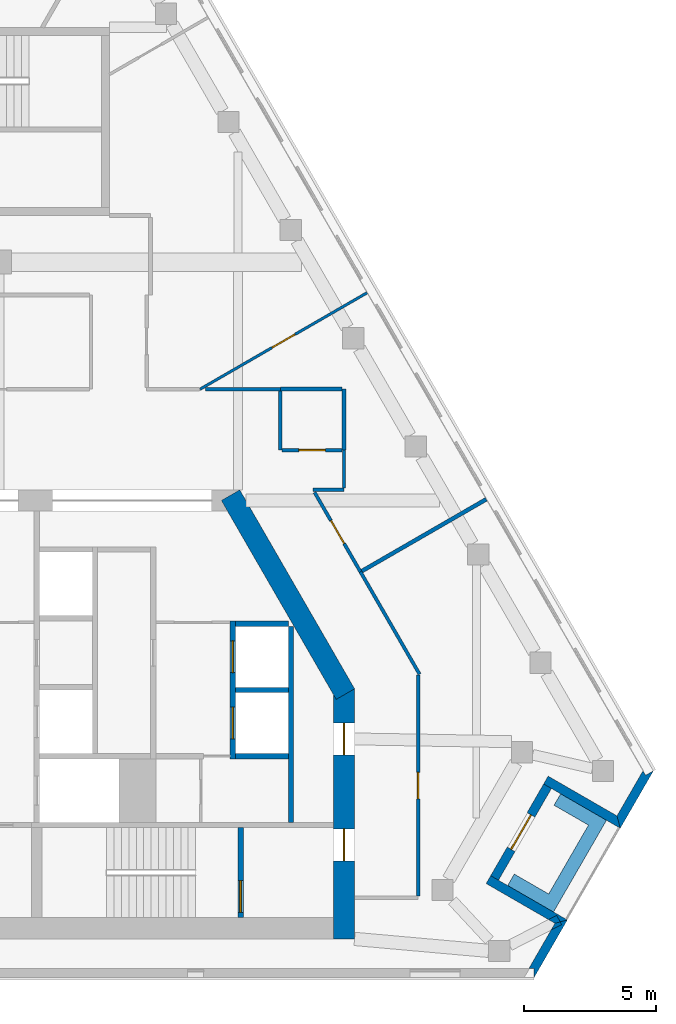
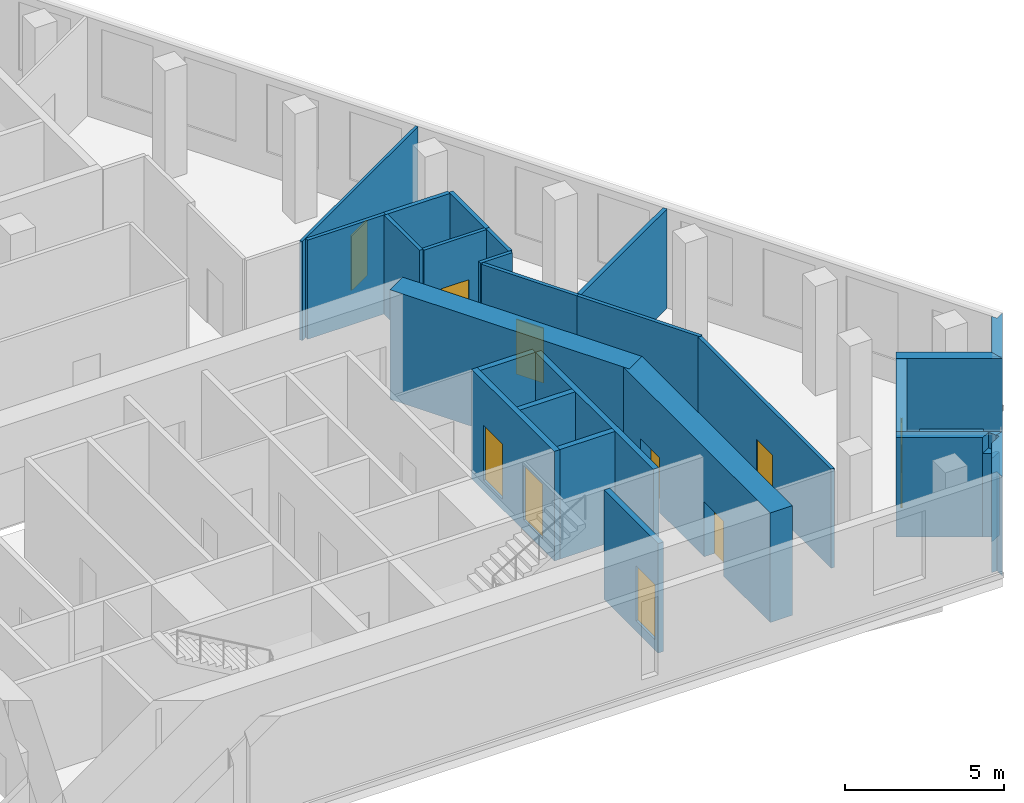
# One storey, part 5 of 8: 28 walls, 10 doors, 10 openings.
"""IFC4 building model written with IfcOpenShell, lengths in metres."""

from ifc_helpers import new_model, si_unit, direction, frame, frame_2d, origin, place, context, subcontext, project, spatial, polyline, rectangle, outline, extrude, material, layer, layer_set, type_object, element, fill, save


model = new_model("IFC4")

# Units and contexts
model_context = context("Model", 3, precision=1e-05, world=origin(), true_north=direction((0.0, 1.0)))
body_context = subcontext(model_context, "Body", "Model", "MODEL_VIEW")
ifc_project = project(units=[si_unit("LENGTHUNIT", "METRE"), si_unit("AREAUNIT", "SQUARE_METRE"), si_unit("VOLUMEUNIT", "CUBIC_METRE"), si_unit("PLANEANGLEUNIT", "RADIAN"), si_unit("MASSUNIT", "GRAM", prefix="KILO")], contexts=[model_context])

# Site, building, storey
site_placement = place(None, origin())
site = spatial("IfcSite", under=ifc_project, at=site_placement, CompositionType="ELEMENT")
building_placement = place(site_placement, origin())
building = spatial("IfcBuilding", under=site, at=building_placement, Name="Fogline Exchange Tower", CompositionType="ELEMENT")
storey_placement = place(building_placement, frame((0.0, 0.0, 318.300048828125)))
storey = spatial("IfcBuildingStorey", under=building, at=storey_placement, Name="L72", CompositionType="ELEMENT", Elevation=318.300048828125)

# Wall
ifc_material_1 = material(Name="Concrete C40", Category="concrete")
ifc_layer_1 = layer(ifc_material_1, 0.199951171875)
ifc_layer_set_1 = layer_set([ifc_layer_1], Name="CW20")
wall_type_1 = type_object("IfcWallType", Name="CW20", PredefinedType="SOLIDWALL", material=ifc_layer_set_1)
wall_1_placement = place(storey_placement, frame((11.0, 5.85009765625, 0.0), z_axis=(0.0, 0.0, 1.0), x_axis=(0.0, 1.0, 0.0)))
element("IfcWall", 1, at=wall_1_placement, inside=storey, type_object=wall_type_1, Name="Service room wall", PredefinedType="SOLIDWALL", context=body_context, shape_type="SweptSolid", body=[
    extrude(rectangle(XDim=7.39990234375, YDim=0.199951171875, at=frame_2d((3.699951171875, 0.0))), origin(), (0.0, 0.0, 1.0), 3.800048828125),
])

# Wall, opening, door
ifc_layer_2 = layer(ifc_material_1, 0.199951171875)
ifc_layer_set_2 = layer_set([ifc_layer_2], Name="CW20R")
wall_type_2 = type_object("IfcWallType", Name="CW20R", PredefinedType="SOLIDWALL", material=ifc_layer_set_2)
wall_2_placement = place(storey_placement, frame((9.10009765625, 2.25, -0.400146484375), z_axis=(0.0, 0.0, 1.0), x_axis=(0.0, 1.0, 0.0)))
wall_2 = element("IfcWall", 2, at=wall_2_placement, inside=storey, type_object=wall_type_2, Name="Stair enclosure wall", PredefinedType="SOLIDWALL", context=body_context, shape_type="SweptSolid", body=[
    extrude(rectangle(XDim=3.39990234375, YDim=0.199951171875, at=frame_2d((1.699951171875, 0.0))), origin(), (0.0, 0.0, 1.0), 4.2001953125),
])
opening_1_placement = place(wall_2_placement, frame((0.199951171875, 0.0, 0.39990234375)))
opening_1 = element("IfcOpeningElement", 3, at=opening_1_placement, cuts=wall_2, Name="Opening T22-C016", PredefinedType="OPENING", context=body_context, shape_type="SweptSolid", body=[
    extrude(rectangle(XDim=1.199951171875, YDim=2.10009765625, at=frame_2d((0.60009765625, 1.050048828125))), frame((0.0, 0.10986328125, 0.0), z_axis=(0.0, -1.0, 0.0), x_axis=(1.0, 0.0, 0.0)), (0.0, 0.0, 1.0), 0.219970703125),
])
ifc_material_2 = material(Name="Steel and timber fire door", Category="steel")
door_type_1 = type_object("IfcDoorType", Name="D-ST1", OperationType="SINGLE_SWING_LEFT", PredefinedType="DOOR", material=ifc_material_2)
door_1_placement = place(opening_1_placement, origin())
door_1 = element("IfcDoor", 4, at=door_1_placement, inside=storey, type_object=door_type_1, Name="Stair door ST2", OperationType="SINGLE_SWING_LEFT", OverallHeight=2.10009765625, OverallWidth=1.199951171875, PredefinedType="DOOR", context=body_context, shape_type="SweptSolid", body=[
    extrude(rectangle(XDim=1.199951171875, YDim=2.10009765625, at=frame_2d((0.60009765625, 1.050048828125))), frame((0.0, 0.02490234375, 0.0), z_axis=(0.0, -1.0, 0.0), x_axis=(1.0, 0.0, 0.0)), (0.0, 0.0, 1.0), 0.050048828125),
])
fill(opening_1, door_1)

# Wall, openings, doors
ifc_layer_3 = layer(ifc_material_1, 0.199951171875)
ifc_layer_set_3 = layer_set([ifc_layer_3], Name="CW20S")
wall_type_3 = type_object("IfcWallType", Name="CW20S", PredefinedType="SOLIDWALL", material=ifc_layer_set_3)
wall_3_placement = place(storey_placement, frame((8.800048828125, 8.25, -0.400146484375), z_axis=(0.0, 0.0, 1.0), x_axis=(0.0, 1.0, 0.0)))
wall_3 = element("IfcWall", 5, at=wall_3_placement, inside=storey, type_object=wall_type_3, Name="Lift shaft wall", PredefinedType="SOLIDWALL", context=body_context, shape_type="SweptSolid", body=[
    extrude(rectangle(XDim=5.199951171875, YDim=0.199951171875, at=frame_2d((2.60009765625, 0.0))), origin(), (0.0, 0.0, 1.0), 4.2001953125),
])
opening_2_placement = place(wall_3_placement, frame((0.75, 0.0, 0.39990234375)))
opening_2 = element("IfcOpeningElement", 6, at=opening_2_placement, cuts=wall_3, Name="Opening T22-LD02", PredefinedType="OPENING", context=body_context, shape_type="SweptSolid", body=[
    extrude(rectangle(XDim=1.199951171875, YDim=2.10009765625, at=frame_2d((0.60009765625, 1.050048828125))), frame((0.0, 0.10986328125, 0.0), z_axis=(0.0, -1.0, 0.0), x_axis=(1.0, 0.0, 0.0)), (0.0, 0.0, 1.0), 0.219970703125),
])
opening_3_placement = place(wall_3_placement, frame((3.25, 0.0, 0.39990234375)))
opening_3 = element("IfcOpeningElement", 7, at=opening_3_placement, cuts=wall_3, Name="Opening T22-LD03", PredefinedType="OPENING", context=body_context, shape_type="SweptSolid", body=[
    extrude(rectangle(XDim=1.199951171875, YDim=2.10009765625, at=frame_2d((0.60009765625, 1.050048828125))), frame((0.0, 0.10986328125, 0.0), z_axis=(0.0, -1.0, 0.0), x_axis=(1.0, 0.0, 0.0)), (0.0, 0.0, 1.0), 0.219970703125),
])
door_type_2 = type_object("IfcDoorType", Name="LD1", OperationType="SLIDING_TO_LEFT", PredefinedType="DOOR", material=ifc_material_2)
door_2_placement = place(opening_2_placement, origin())
door_2 = element("IfcDoor", 8, at=door_2_placement, inside=storey, type_object=door_type_2, Name="Landing door HR1", OperationType="SLIDING_TO_LEFT", OverallHeight=2.10009765625, OverallWidth=1.199951171875, PredefinedType="DOOR", context=body_context, shape_type="SweptSolid", body=[
    extrude(rectangle(XDim=1.199951171875, YDim=2.10009765625, at=frame_2d((0.60009765625, 1.050048828125))), frame((0.0, 0.02490234375, 0.0), z_axis=(0.0, -1.0, 0.0), x_axis=(1.0, 0.0, 0.0)), (0.0, 0.0, 1.0), 0.050048828125),
])
fill(opening_2, door_2)
door_3_placement = place(opening_3_placement, origin())
door_3 = element("IfcDoor", 9, at=door_3_placement, inside=storey, type_object=door_type_2, Name="Landing door HR2", OperationType="SLIDING_TO_LEFT", OverallHeight=2.10009765625, OverallWidth=1.199951171875, PredefinedType="DOOR", context=body_context, shape_type="SweptSolid", body=[
    extrude(rectangle(XDim=1.199951171875, YDim=2.10009765625, at=frame_2d((0.60009765625, 1.050048828125))), frame((0.0, 0.02490234375, 0.0), z_axis=(0.0, -1.0, 0.0), x_axis=(1.0, 0.0, 0.0)), (0.0, 0.0, 1.0), 0.050048828125),
])
fill(opening_3, door_3)

# Walls
for number, where, z_axis, x_axis, name in (
    (10, (8.89990234375, 8.35009765625, -0.400146484375), (0.0, 0.0, 1.0), (1.0, 0.0, 0.0), "Lift shaft wall"),
    (11, (8.89990234375, 10.85009765625, -0.400146484375), (0.0, 0.0, 1.0), (1.0, 0.0, 0.0), "Lift shaft wall"),
    (12, (8.89990234375, 13.35009765625, -0.400146484375), (0.0, 0.0, 1.0), (1.0, 0.0, 0.0), "Lift shaft wall"),
):
    element("IfcWall", number, at=place(storey_placement, frame(where, z_axis=z_axis, x_axis=x_axis)), inside=storey, type_object=wall_type_3, Name=name, PredefinedType="SOLIDWALL", context=body_context, shape_type="SweptSolid", body=[
        extrude(rectangle(XDim=2.0, YDim=0.199951171875, at=frame_2d((1.0, 0.0))), origin(), (0.0, 0.0, 1.0), 4.2001953125),
    ])
ifc_material_3 = material(Name="Brick masonry", Category="masonry")
ifc_layer_4 = layer(ifc_material_3, 0.340087890625)
ifc_layer_set_4 = layer_set([ifc_layer_4], Name="FW1")
wall_type_4 = type_object("IfcWallType", Name="FW1", PredefinedType="SOLIDWALL", material=ifc_layer_set_4)
wall_4_placement = place(storey_placement, origin())
element("IfcWall", 13, at=wall_4_placement, inside=storey, type_object=wall_type_4, Name="Brick wall L72 SE-c1", PredefinedType="SOLIDWALL", context=body_context, shape_type="SweptSolid", body=[
    extrude(outline(polyline([(20.96484375, 2.041015625), (21.158935546875, 2.093017578125), (21.213134765625, 1.987548828125), (20.81591796875, 1.782958984375), (20.96484375, 2.041015625)])), origin(), (0.0, 0.0, 1.0), 3.199951171875),
])
wall_5_placement = place(storey_placement, origin())
element("IfcWall", 14, at=wall_5_placement, inside=storey, type_object=wall_type_4, Name="Brick wall L72 SE-c1", PredefinedType="SOLIDWALL", context=body_context, shape_type="SweptSolid", body=[
    extrude(outline(polyline([(20.1796875, -0.001220703125), (20.17919921875, -0.0009765625), (20.17919921875, 0.33935546875), (19.982421875, 0.33935546875), (20.81591796875, 1.782958984375), (21.213134765625, 1.987548828125), (21.158935546875, 2.093017578125), (21.4306640625, 2.166015625), (21.430908203125, 2.165771484375), (20.1796875, -0.001220703125)])), origin(), (0.0, 0.0, 1.0), 3.800048828125),
])
wall_6_placement = place(storey_placement, origin())
element("IfcWall", 15, at=wall_6_placement, inside=storey, type_object=wall_type_4, Name="Brick wall L72 SE-s1", PredefinedType="SOLIDWALL", context=body_context, shape_type="SweptSolid", body=[
    extrude(outline(polyline([(20.96533203125, 2.0400390625), (20.71826171875, 2.1826171875), (21.0302734375, 2.343017578125), (21.159423828125, 2.092041015625), (20.96533203125, 2.0400390625)])), origin(), (0.0, 0.0, 1.0), 3.199951171875),
])
wall_7_placement = place(storey_placement, origin())
element("IfcWall", 16, at=wall_7_placement, inside=storey, type_object=wall_type_4, Name="Brick wall L72 SE-s1", PredefinedType="SOLIDWALL", context=body_context, shape_type="SweptSolid", body=[
    extrude(outline(polyline([(18.537109375, 3.8359375), (18.83203125, 3.66552734375), (21.430908203125, 2.1650390625), (21.430908203125, 2.164794921875), (21.159423828125, 2.092041015625), (21.0302734375, 2.343017578125), (20.71826171875, 2.1826171875), (18.366455078125, 3.540283203125), (18.537109375, 3.8359375)])), origin(), (0.0, 0.0, 1.0), 3.800048828125),
])

# Wall, opening, door
wall_8_placement = place(storey_placement, frame((18.6845703125, 3.75, 0.0), z_axis=(0.0, 0.0, 1.0), x_axis=(0.49999894854, 0.866026010844, 0.0)))
wall_8 = element("IfcWall", 17, at=wall_8_placement, inside=storey, type_object=wall_type_4, Name="Brick wall L72 SE-bk", PredefinedType="SOLIDWALL", context=body_context, shape_type="SweptSolid", body=[
    extrude(rectangle(XDim=4.0, YDim=0.340087890625, at=frame_2d((2.0, 0.0))), origin(), (0.0, 0.0, 1.0), 3.800048828125),
])
opening_4_placement = place(wall_8_placement, frame((1.25, 0.0, 0.0)))
opening_4 = element("IfcOpeningElement", 18, at=opening_4_placement, cuts=wall_8, Name="Opening T22-E081", PredefinedType="OPENING", context=body_context, shape_type="SweptSolid", body=[
    extrude(rectangle(XDim=1.5, YDim=2.39990234375, at=frame_2d((0.75, 1.199951171875))), frame((0.0, 0.18017578125, 0.0), z_axis=(0.0, -1.0, 0.0), x_axis=(1.0, 0.0, 0.0)), (0.0, 0.0, 1.0), 0.360107421875),
])
ifc_material_4 = material(Name="Aluminium and glass", Category="aluminium")
door_type_3 = type_object("IfcDoorType", Name="ED4", OperationType="SINGLE_SWING_LEFT", PredefinedType="DOOR", material=ifc_material_4)
door_4_placement = place(opening_4_placement, frame((1.5, 0.0, 0.0), z_axis=(0.0, 0.0, 1.0), x_axis=(-1.0, 0.0, 0.0)))
door_4 = element("IfcDoor", 19, at=door_4_placement, inside=storey, type_object=door_type_3, Name="Balcony door L72 SE", OperationType="DOUBLE_DOOR_SINGLE_SWING", OverallHeight=2.39990234375, OverallWidth=1.5, PredefinedType="DOOR", context=body_context, shape_type="SweptSolid", body=[
    extrude(rectangle(XDim=1.5, YDim=2.39990234375, at=frame_2d((0.75, 1.199951171875))), frame((0.0, 0.02490234375, 0.0), z_axis=(0.0, -1.0, 0.0), x_axis=(1.0, 0.0, 0.0)), (0.0, 0.0, 1.0), 0.050048828125),
])
fill(opening_4, door_4)

# Walls
wall_9_placement = place(storey_placement, origin())
element("IfcWall", 20, at=wall_9_placement, inside=storey, type_object=wall_type_4, Name="Brick wall L72 SE-s2", PredefinedType="SOLIDWALL", context=body_context, shape_type="SweptSolid", body=[
    extrude(outline(polyline([(23.430419921875, 5.628173828125), (20.831298828125, 7.128662109375), (20.536376953125, 7.298828125), (20.70703125, 7.594482421875), (23.305908203125, 6.093994140625), (23.4306640625, 5.62841796875), (23.430419921875, 5.628173828125)])), origin(), (0.0, 0.0, 1.0), 3.800048828125),
])
wall_10_placement = place(storey_placement, origin())
element("IfcWall", 21, at=wall_10_placement, inside=storey, type_object=wall_type_4, Name="Brick wall L72 SE-c2", PredefinedType="SOLIDWALL", context=body_context, shape_type="SweptSolid", body=[
    extrude(outline(polyline([(24.287109375, 7.79541015625), (24.385498046875, 7.625), (24.680419921875, 7.79541015625), (24.680908203125, 7.794921875), (23.4296875, 5.6279296875), (23.429443359375, 5.6279296875), (23.3046875, 6.09375), (24.287109375, 7.79541015625)])), origin(), (0.0, 0.0, 1.0), 3.800048828125),
])
ifc_material_5 = material(Name="Concrete C30", Category="concrete")
ifc_layer_5 = layer(ifc_material_5, 0.199951171875)
ifc_layer_set_5 = layer_set([ifc_layer_5], Name="PL1")
wall_type_5 = type_object("IfcWallType", Name="PL1", PredefinedType="USERDEFINED", material=ifc_layer_set_5)
wall_11_placement = place(storey_placement, origin())
element("IfcWall", 22, at=wall_11_placement, inside=storey, type_object=wall_type_5, Name="PLANTER balcony L72 SE", ObjectType="PLANTER", PredefinedType="USERDEFINED", context=body_context, shape_type="SweptSolid", body=[
    extrude(outline(polyline([(19.177978515625, 3.465087890625), (20.477294921875, 2.715087890625), (20.477294921875, 2.715087890625), (20.91015625, 2.465087890625), (22.66015625, 5.49609375), (22.91015625, 5.92919921875), (21.177978515625, 6.92919921875), (20.927978515625, 6.49609375), (22.227294921875, 5.74609375), (20.727294921875, 3.148193359375), (19.427978515625, 3.898193359375), (19.177978515625, 3.465087890625)])), origin(), (0.0, 0.0, 1.0), 1.099853515625),
])

# Wall, opening, door
ifc_material_6 = material(Name="Plasterboard partition, 2 layers each side on steel studs", Category="steel")
ifc_layer_6 = layer(ifc_material_6, 0.10009765625)
ifc_layer_set_6 = layer_set([ifc_layer_6], Name="PW1")
wall_type_6 = type_object("IfcWallType", Name="PW1", PredefinedType="PARTITIONING", material=ifc_layer_set_6)
wall_12_placement = place(storey_placement, frame((7.56640625, 22.199951171875, 0.0), z_axis=(0.0, 0.0, 1.0), x_axis=(0.866023581503, 0.500003156271, 0.0)))
wall_12 = element("IfcWall", 23, at=wall_12_placement, inside=storey, type_object=wall_type_6, Name="wall-L72-W028", PredefinedType="PARTITIONING", context=body_context, shape_type="SweptSolid", body=[
    extrude(rectangle(XDim=7.27783203125, YDim=0.10009765625, at=frame_2d((3.638916015625, 0.0))), origin(), (0.0, 0.0, 1.0), 3.800048828125),
])
opening_5_placement = place(wall_12_placement, frame((3.138916015625, 0.0, 0.0)))
opening_5 = element("IfcOpeningElement", 24, at=opening_5_placement, cuts=wall_12, Name="Opening T22-D008", PredefinedType="OPENING", context=body_context, shape_type="SweptSolid", body=[
    extrude(rectangle(XDim=1.0, YDim=2.10009765625, at=frame_2d((0.5, 1.050048828125))), frame((0.0, 0.06005859375, 0.0), z_axis=(0.0, -1.0, 0.0), x_axis=(1.0, 0.0, 0.0)), (0.0, 0.0, 1.0), 0.1201171875),
])
ifc_material_7 = material(Name="Timber door leaf with steel frame", Category="steel")
door_type_4 = type_object("IfcDoorType", Name="D1", OperationType="SINGLE_SWING_LEFT", PredefinedType="DOOR", material=ifc_material_7)
door_5_placement = place(opening_5_placement, frame((1.0, 0.0, 0.0), z_axis=(0.0, 0.0, 1.0), x_axis=(-1.0, 0.0, 0.0)))
door_5 = element("IfcDoor", 25, at=door_5_placement, inside=storey, type_object=door_type_4, Name="door-L72-D008", OperationType="SINGLE_SWING_RIGHT", OverallHeight=2.10009765625, OverallWidth=1.0, PredefinedType="DOOR", context=body_context, shape_type="SweptSolid", body=[
    extrude(rectangle(XDim=1.0, YDim=2.10009765625, at=frame_2d((0.5, 1.050048828125))), frame((0.0, 0.02490234375, 0.0), z_axis=(0.0, -1.0, 0.0), x_axis=(1.0, 0.0, 0.0)), (0.0, 0.0, 1.0), 0.050048828125),
])
fill(opening_5, door_5)

ifc_material_8 = material(Name="Plasterboard corridor partition with mineral wool, 2 layers each side")
ifc_layer_7 = layer(ifc_material_8, 0.125)
ifc_layer_set_7 = layer_set([ifc_layer_7], Name="PW2")
wall_type_7 = type_object("IfcWallType", Name="PW2", PredefinedType="PARTITIONING", material=ifc_layer_set_7)
wall_13_placement = place(storey_placement, frame((11.890869140625, 18.305908203125, 0.0), z_axis=(0.0, 0.0, 1.0), x_axis=(0.499980616072, -0.866036594811, 0.0)))
wall_13 = element("IfcWall", 26, at=wall_13_placement, inside=storey, type_object=wall_type_7, Name="wall-L72-W001", PredefinedType="PARTITIONING", context=body_context, shape_type="SweptSolid", body=[
    extrude(rectangle(XDim=3.465576171875, YDim=0.125, at=frame_2d((1.73291015625, 0.0))), origin(), (0.0, 0.0, 1.0), 3.800048828125),
])
opening_6_placement = place(wall_13_placement, frame((1.232666015625, 0.0, 0.0)))
opening_6 = element("IfcOpeningElement", 27, at=opening_6_placement, cuts=wall_13, Name="Opening T22-D001", PredefinedType="OPENING", context=body_context, shape_type="SweptSolid", body=[
    extrude(rectangle(XDim=1.0, YDim=2.10009765625, at=frame_2d((0.5, 1.050048828125))), frame((0.0, 0.072509765625, 0.0), z_axis=(0.0, -1.0, 0.0), x_axis=(1.0, 0.0, 0.0)), (0.0, 0.0, 1.0), 0.14501953125),
])
ifc_material_9 = material(Name="Fire-rated timber door leaf with steel frame", Category="steel")
door_type_5 = type_object("IfcDoorType", Name="D3", OperationType="SINGLE_SWING_LEFT", PredefinedType="DOOR", material=ifc_material_9)
door_6_placement = place(opening_6_placement, origin())
door_6 = element("IfcDoor", 28, at=door_6_placement, inside=storey, type_object=door_type_5, Name="door-L72-D001", OperationType="SINGLE_SWING_LEFT", OverallHeight=2.10009765625, OverallWidth=1.0, PredefinedType="DOOR", context=body_context, shape_type="SweptSolid", body=[
    extrude(rectangle(XDim=1.0, YDim=2.10009765625, at=frame_2d((0.5, 1.050048828125))), frame((0.0, 0.02490234375, 0.0), z_axis=(0.0, -1.0, 0.0), x_axis=(1.0, 0.0, 0.0)), (0.0, 0.0, 1.0), 0.050048828125),
])
fill(opening_6, door_6)

# Wall
wall_14_placement = place(storey_placement, frame((13.62353515625, 15.3046875, 0.0), z_axis=(0.0, 0.0, 1.0), x_axis=(0.499994034198, -0.866028848114, 0.0)))
element("IfcWall", 29, at=wall_14_placement, inside=storey, type_object=wall_type_7, Name="wall-L72-W002", PredefinedType="PARTITIONING", context=body_context, shape_type="SweptSolid", body=[
    extrude(rectangle(XDim=4.46142578125, YDim=0.125, at=frame_2d((2.230712890625, 0.0))), origin(), (0.0, 0.0, 1.0), 3.800048828125),
])

# Wall, opening, door
wall_15_placement = place(storey_placement, frame((15.800048828125, 11.409912109375, 0.0), z_axis=(0.0, 0.0, 1.0), x_axis=(0.0, -1.0, 0.0)))
wall_15 = element("IfcWall", 30, at=wall_15_placement, inside=storey, type_object=wall_type_7, Name="wall-L72-W003", PredefinedType="PARTITIONING", context=body_context, shape_type="SweptSolid", body=[
    extrude(rectangle(XDim=8.347412109375, YDim=0.125, at=frame_2d((4.173828125, 0.0))), origin(), (0.0, 0.0, 1.0), 3.800048828125),
])
opening_7_placement = place(wall_15_placement, frame((3.673583984375, 0.0, 0.0)))
opening_7 = element("IfcOpeningElement", 31, at=opening_7_placement, cuts=wall_15, Name="Opening T22-D002", PredefinedType="OPENING", context=body_context, shape_type="SweptSolid", body=[
    extrude(rectangle(XDim=1.0, YDim=2.10009765625, at=frame_2d((0.5, 1.050048828125))), frame((0.0, 0.072509765625, 0.0), z_axis=(0.0, -1.0, 0.0), x_axis=(1.0, 0.0, 0.0)), (0.0, 0.0, 1.0), 0.14501953125),
])
door_7_placement = place(opening_7_placement, origin())
door_7 = element("IfcDoor", 32, at=door_7_placement, inside=storey, type_object=door_type_5, Name="door-L72-D002", OperationType="SINGLE_SWING_RIGHT", OverallHeight=2.10009765625, OverallWidth=1.0, PredefinedType="DOOR", context=body_context, shape_type="SweptSolid", body=[
    extrude(rectangle(XDim=1.0, YDim=2.10009765625, at=frame_2d((0.5, 1.050048828125))), frame((0.0, 0.02490234375, 0.0), z_axis=(0.0, -1.0, 0.0), x_axis=(1.0, 0.0, 0.0)), (0.0, 0.0, 1.0), 0.050048828125),
])
fill(opening_7, door_7)

# Walls
wall_16_placement = place(storey_placement, frame((7.775146484375, 22.199951171875, 0.0), z_axis=(0.0, 0.0, 1.0), x_axis=(1.0, 0.0, 0.0)))
element("IfcWall", 33, at=wall_16_placement, inside=storey, type_object=wall_type_7, Name="wall-L72-W005", PredefinedType="PARTITIONING", context=body_context, shape_type="SweptSolid", body=[
    extrude(rectangle(XDim=2.824951171875, YDim=0.125, at=frame_2d((1.41259765625, 0.0))), origin(), (0.0, 0.0, 1.0), 3.800048828125),
])
wall_17_placement = place(storey_placement, frame((13.0, 19.89990234375, 0.0), z_axis=(0.0, 0.0, 1.0), x_axis=(0.0, -1.0, 0.0)))
element("IfcWall", 34, at=wall_17_placement, inside=storey, type_object=wall_type_7, Name="wall-L72-W006", PredefinedType="PARTITIONING", context=body_context, shape_type="SweptSolid", body=[
    extrude(rectangle(XDim=1.4375, YDim=0.125, at=frame_2d((0.71875, 0.0))), origin(), (0.0, 0.0, 1.0), 3.800048828125),
])
wall_18_placement = place(storey_placement, frame((13.0, 18.39990234375, 0.0), z_axis=(0.0, 0.0, 1.0), x_axis=(-1.0, 0.0, 0.0)))
element("IfcWall", 35, at=wall_18_placement, inside=storey, type_object=wall_type_7, Name="wall-L72-W007", PredefinedType="PARTITIONING", context=body_context, shape_type="SweptSolid", body=[
    extrude(rectangle(XDim=1.16357421875, YDim=0.125, at=frame_2d((0.581787109375, 0.0))), origin(), (0.0, 0.0, 1.0), 3.800048828125),
])
wall_19_placement = place(storey_placement, frame((10.60009765625, 22.12451171875, 0.0), z_axis=(0.0, 0.0, 1.0), x_axis=(0.0, -1.0, 0.0)))
element("IfcWall", 36, at=wall_19_placement, inside=storey, type_object=wall_type_7, Name="wall-L72-W008", PredefinedType="PARTITIONING", context=body_context, shape_type="SweptSolid", body=[
    extrude(rectangle(XDim=2.224609375, YDim=0.125, at=frame_2d((1.1123046875, 0.0))), origin(), (0.0, 0.0, 1.0), 3.800048828125),
])

# Wall, opening, door
wall_20_placement = place(storey_placement, frame((10.66259765625, 19.89990234375, 0.0), z_axis=(0.0, 0.0, 1.0), x_axis=(1.0, 0.0, 0.0)))
wall_20 = element("IfcWall", 37, at=wall_20_placement, inside=storey, type_object=wall_type_7, Name="wall-L72-W009", PredefinedType="PARTITIONING", context=body_context, shape_type="SweptSolid", body=[
    extrude(rectangle(XDim=2.262451171875, YDim=0.125, at=frame_2d((1.13134765625, 0.0))), origin(), (0.0, 0.0, 1.0), 3.800048828125),
])
opening_8_placement = place(wall_20_placement, frame((0.63134765625, 0.0, 0.0)))
opening_8 = element("IfcOpeningElement", 38, at=opening_8_placement, cuts=wall_20, Name="Opening T22-D003", PredefinedType="OPENING", context=body_context, shape_type="SweptSolid", body=[
    extrude(rectangle(XDim=1.0, YDim=2.10009765625, at=frame_2d((0.5, 1.050048828125))), frame((0.0, 0.072509765625, 0.0), z_axis=(0.0, -1.0, 0.0), x_axis=(1.0, 0.0, 0.0)), (0.0, 0.0, 1.0), 0.14501953125),
])
door_8_placement = place(opening_8_placement, origin())
door_8 = element("IfcDoor", 39, at=door_8_placement, inside=storey, type_object=door_type_5, Name="door-L72-D003", OperationType="SINGLE_SWING_LEFT", OverallHeight=2.10009765625, OverallWidth=1.0, PredefinedType="DOOR", context=body_context, shape_type="SweptSolid", body=[
    extrude(rectangle(XDim=1.0, YDim=2.10009765625, at=frame_2d((0.5, 1.050048828125))), frame((0.0, 0.02490234375, 0.0), z_axis=(0.0, -1.0, 0.0), x_axis=(1.0, 0.0, 0.0)), (0.0, 0.0, 1.0), 0.050048828125),
])
fill(opening_8, door_8)

# Walls
ifc_material_10 = material(Name="Plasterboard demising partition with mineral wool and acoustic board")
ifc_layer_8 = layer(ifc_material_10, 0.14990234375)
ifc_layer_set_8 = layer_set([ifc_layer_8], Name="PW3")
wall_type_8 = type_object("IfcWallType", Name="PW3", PredefinedType="PARTITIONING", material=ifc_layer_set_8)
wall_21_placement = place(storey_placement, frame((13.0, 19.89990234375, 0.0), z_axis=(0.0, 0.0, 1.0), x_axis=(0.0, 1.0, 0.0)))
element("IfcWall", 40, at=wall_21_placement, inside=storey, type_object=wall_type_8, Name="wall-L72-W026", PredefinedType="PARTITIONING", context=body_context, shape_type="SweptSolid", body=[
    extrude(rectangle(XDim=2.300048828125, YDim=0.14990234375, at=frame_2d((1.14990234375, 0.0))), origin(), (0.0, 0.0, 1.0), 3.800048828125),
])
wall_22_placement = place(storey_placement, frame((12.925048828125, 22.199951171875, 0.0), z_axis=(0.0, 0.0, 1.0), x_axis=(-1.0, 0.0, 0.0)))
element("IfcWall", 41, at=wall_22_placement, inside=storey, type_object=wall_type_8, Name="wall-L72-W027", PredefinedType="PARTITIONING", context=body_context, shape_type="SweptSolid", body=[
    extrude(rectangle(XDim=2.324951171875, YDim=0.14990234375, at=frame_2d((1.16259765625, 0.0))), origin(), (0.0, 0.0, 1.0), 3.800048828125),
])
wall_23_placement = place(storey_placement, frame((18.369140625, 18.044677734375, 0.0), z_axis=(0.0, 0.0, 1.0), x_axis=(-0.866024235346, -0.500002023789, 0.0)))
element("IfcWall", 42, at=wall_23_placement, inside=storey, type_object=wall_type_8, Name="wall-L72-W029", PredefinedType="PARTITIONING", context=body_context, shape_type="SweptSolid", body=[
    extrude(rectangle(XDim=5.41748046875, YDim=0.14990234375, at=frame_2d((2.708740234375, 0.0))), origin(), (0.0, 0.0, 1.0), 3.800048828125),
])

# Wall, openings, doors
ifc_material_11 = material(Name="Concrete C50", Category="concrete")
ifc_layer_9 = layer(ifc_material_11, 0.800048828125)
ifc_layer_set_9 = layer_set([ifc_layer_9], Name="SW04")
wall_type_9 = type_object("IfcWallType", Name="SW04", PredefinedType="SHEAR", material=ifc_layer_set_9)
wall_24_placement = place(storey_placement, frame((13.0, 1.449951171875, 0.0), z_axis=(0.0, 0.0, 1.0), x_axis=(0.0, 1.0, 0.0)))
wall_24 = element("IfcWall", 43, at=wall_24_placement, inside=storey, type_object=wall_type_9, Name="L72-W902", PredefinedType="SHEAR", context=body_context, shape_type="SweptSolid", body=[
    extrude(rectangle(XDim=9.44189453125, YDim=0.800048828125, at=frame_2d((4.720947265625, 0.0))), origin(), (0.0, 0.0, 1.0), 4.199951171875),
])
opening_9_placement = place(wall_24_placement, frame((2.949951171875, 0.0, 0.0)))
opening_9 = element("IfcOpeningElement", 44, at=opening_9_placement, cuts=wall_24, Name="Opening T22-C015", PredefinedType="OPENING", context=body_context, shape_type="SweptSolid", body=[
    extrude(rectangle(XDim=1.199951171875, YDim=2.10009765625, at=frame_2d((0.60009765625, 1.050048828125))), frame((0.0, 0.41015625, 0.0), z_axis=(0.0, -1.0, 0.0), x_axis=(1.0, 0.0, 0.0)), (0.0, 0.0, 1.0), 0.820068359375),
])
opening_10_placement = place(wall_24_placement, frame((6.949951171875, 0.0, 0.0)))
opening_10 = element("IfcOpeningElement", 45, at=opening_10_placement, cuts=wall_24, Name="Opening T22-C017", PredefinedType="OPENING", context=body_context, shape_type="SweptSolid", body=[
    extrude(rectangle(XDim=1.199951171875, YDim=2.10009765625, at=frame_2d((0.60009765625, 1.050048828125))), frame((0.0, 0.41015625, 0.0), z_axis=(0.0, -1.0, 0.0), x_axis=(1.0, 0.0, 0.0)), (0.0, 0.0, 1.0), 0.820068359375),
])
door_type_6 = type_object("IfcDoorType", Name="D-FR1", OperationType="SINGLE_SWING_RIGHT", PredefinedType="DOOR", material=ifc_material_2)
door_9_placement = place(opening_9_placement, origin())
door_9 = element("IfcDoor", 46, at=door_9_placement, inside=storey, type_object=door_type_6, Name="Front room door ST2", OperationType="SINGLE_SWING_RIGHT", OverallHeight=2.10009765625, OverallWidth=1.199951171875, PredefinedType="DOOR", context=body_context, shape_type="SweptSolid", body=[
    extrude(rectangle(XDim=1.199951171875, YDim=2.10009765625, at=frame_2d((0.60009765625, 1.050048828125))), frame((0.0, 0.02490234375, 0.0), z_axis=(0.0, -1.0, 0.0), x_axis=(1.0, 0.0, 0.0)), (0.0, 0.0, 1.0), 0.050048828125),
])
fill(opening_9, door_9)
door_type_7 = type_object("IfcDoorType", Name="D-SV1", OperationType="SINGLE_SWING_LEFT", PredefinedType="DOOR", material=ifc_material_2)
door_10_placement = place(opening_10_placement, origin())
door_10 = element("IfcDoor", 47, at=door_10_placement, inside=storey, type_object=door_type_7, Name="Service door E", OperationType="SINGLE_SWING_RIGHT", OverallHeight=2.10009765625, OverallWidth=1.199951171875, PredefinedType="DOOR", context=body_context, shape_type="SweptSolid", body=[
    extrude(rectangle(XDim=1.199951171875, YDim=2.10009765625, at=frame_2d((0.60009765625, 1.050048828125))), frame((0.0, 0.02490234375, 0.0), z_axis=(0.0, -1.0, 0.0), x_axis=(1.0, 0.0, 0.0)), (0.0, 0.0, 1.0), 0.050048828125),
])
fill(opening_10, door_10)

# Wall
wall_25_placement = place(storey_placement, frame((13.0537109375, 10.69189453125, 0.0), z_axis=(0.0, 0.0, 1.0), x_axis=(-0.500015780397, 0.866016292776, 0.0)))
element("IfcWall", 48, at=wall_25_placement, inside=storey, type_object=wall_type_9, Name="L72-W903", PredefinedType="SHEAR", context=body_context, shape_type="SweptSolid", body=[
    extrude(rectangle(XDim=8.669677734375, YDim=0.800048828125, at=frame_2d((4.3349609375, 0.0))), origin(), (0.0, 0.0, 1.0), 4.199951171875),
])

save(model, "model.ifc")
